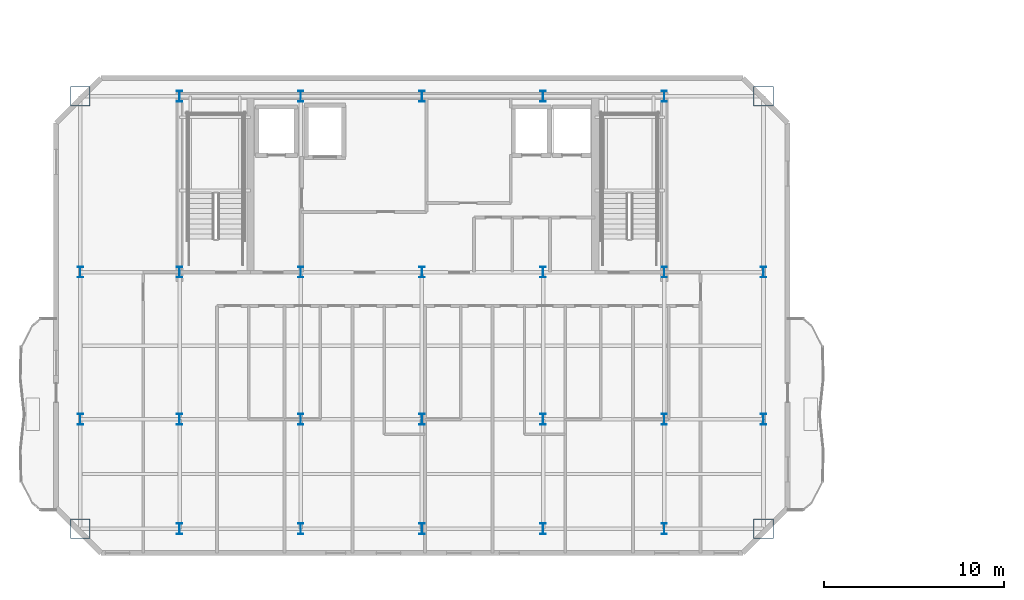
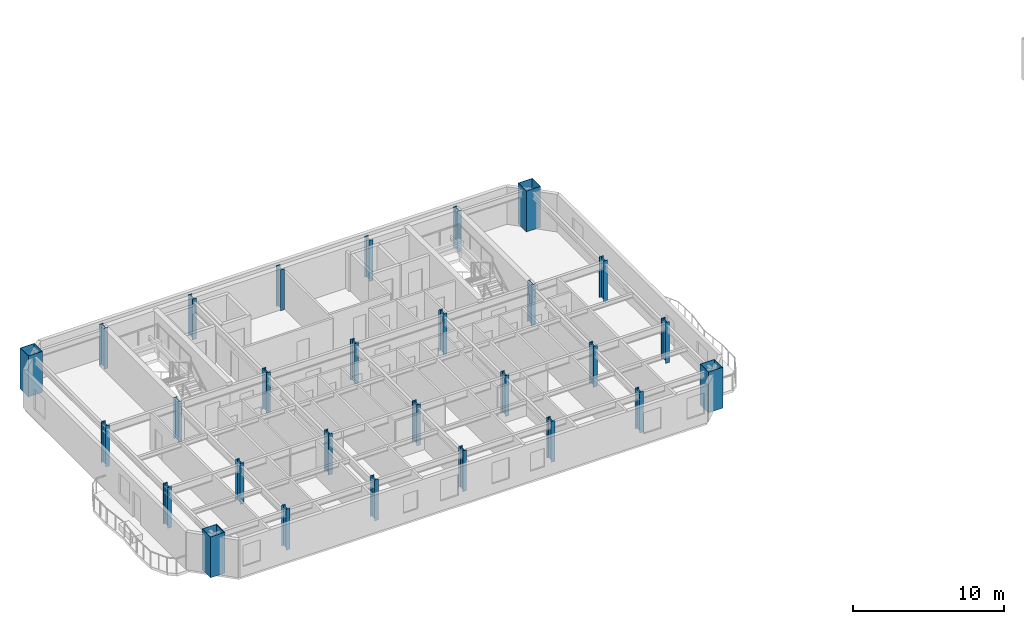
# One storey, part 1 of 14: 28 columns.
"""IFC4 building model written with IfcOpenShell, lengths in metres."""

from ifc_helpers import new_model, si_unit, direction, frame, origin, origin_2d, place, context, subcontext, project, spatial, hollow_rectangle, i_section, extrude, material, material_profile, profile_set, type_object, element, save


model = new_model("IFC4")

# Units and contexts
model_context = context("Model", 3, precision=1e-05, world=origin(), true_north=direction((0.0, 1.0)))
body_context = subcontext(model_context, "Body", "Model", "MODEL_VIEW")
ifc_project = project(units=[si_unit("LENGTHUNIT", "METRE"), si_unit("AREAUNIT", "SQUARE_METRE"), si_unit("VOLUMEUNIT", "CUBIC_METRE"), si_unit("PLANEANGLEUNIT", "RADIAN"), si_unit("MASSUNIT", "GRAM", prefix="KILO")], contexts=[model_context])

# Site, building, storey
site_placement = place(None, origin())
site = spatial("IfcSite", under=ifc_project, at=site_placement, CompositionType="ELEMENT")
building_placement = place(site_placement, origin())
building = spatial("IfcBuilding", under=site, at=building_placement, Name="Haevon Station Towers", CompositionType="ELEMENT")
storey_placement = place(building_placement, frame((0.0, 0.0, 212.10009765625)))
storey = spatial("IfcBuildingStorey", under=building, at=storey_placement, Name="L58", CompositionType="ELEMENT", Elevation=212.10009765625)

# Columns
ifc_material_1 = material(Name="Steel S460", Category="steel")
ifc_material_profile_1 = material_profile(ifc_material_1, hollow_rectangle(XDim=1.10009765625, YDim=1.10009765625, WallThickness=0.031982421875, at=origin_2d()), Name="BOX-1100x1100x32")
ifc_profile_set_1 = profile_set([ifc_material_profile_1], Name="Steel S460")
column_type_1 = type_object("IfcColumnType", Name="COL-MC5", PredefinedType="COLUMN", material=ifc_profile_set_1)
for number, where, z_axis, x_axis, name in (
    (1, (18.47509765625, 23.89990234375, 0.0), (0.0, 0.0, 1.0), (1.0, 0.0, 0.0), "COL-T1-L58-01-01"),
    (2, (18.47509765625, 48.0, 0.0), (0.0, 0.0, 1.0), (1.0, 0.0, 0.0), "COL-T1-L58-01-04"),
    (3, (56.52490234375, 23.89990234375, 0.0), (0.0, 0.0, 1.0), (1.0, 0.0, 0.0), "COL-T1-L58-07-01"),
    (4, (56.52490234375, 48.0, 0.0), (0.0, 0.0, 1.0), (1.0, 0.0, 0.0), "COL-T1-L58-07-04"),
):
    element("IfcColumn", number, at=place(storey_placement, frame(where, z_axis=z_axis, x_axis=x_axis)), inside=storey, type_object=column_type_1, Name=name, PredefinedType="COLUMN", context=body_context, shape_type="SweptSolid", body=[
        extrude(hollow_rectangle(XDim=1.10009765625, YDim=1.10009765625, WallThickness=0.031982421875, at=origin_2d()), origin(), (0.0, 0.0, 1.0), 3.2998046875),
    ])
ifc_material_2 = material(Name="Steel S355", Category="steel")
ifc_material_profile_2 = material_profile(ifc_material_2, i_section(OverallWidth=0.300048828125, OverallDepth=0.60009765625, WebThickness=0.013916015625, FlangeThickness=0.02490234375, at=origin_2d()), Name="H-600x300x14x25")
ifc_profile_set_2 = profile_set([ifc_material_profile_2], Name="Steel S355")
column_type_2 = type_object("IfcColumnType", Name="COL-TW4", PredefinedType="COLUMN", material=ifc_profile_set_2)
for number, where, z_axis, x_axis, name in (
    (5, (18.47509765625, 30.0, 0.0), (0.0, 0.0, 1.0), (1.0, 0.0, 0.0), "COL-T1-L58-01-02"),
    (6, (18.47509765625, 38.199951171875, 0.0), (0.0, 0.0, 1.0), (1.0, 0.0, 0.0), "COL-T1-L58-01-03"),
    (7, (24.0, 23.89990234375, 0.0), (0.0, 0.0, 1.0), (1.0, 0.0, 0.0), "COL-T1-L58-02-01"),
    (8, (24.0, 30.0, 0.0), (0.0, 0.0, 1.0), (1.0, 0.0, 0.0), "COL-T1-L58-02-02"),
    (9, (24.0, 38.199951171875, 0.0), (0.0, 0.0, 1.0), (1.0, 0.0, 0.0), "COL-T1-L58-02-03"),
    (10, (24.0, 48.0, 0.0), (0.0, 0.0, 1.0), (1.0, 0.0, 0.0), "COL-T1-L58-02-04"),
    (11, (30.75, 23.89990234375, 0.0), (0.0, 0.0, 1.0), (1.0, 0.0, 0.0), "COL-T1-L58-03-01"),
    (12, (30.75, 30.0, 0.0), (0.0, 0.0, 1.0), (1.0, 0.0, 0.0), "COL-T1-L58-03-02"),
    (13, (30.75, 38.199951171875, 0.0), (0.0, 0.0, 1.0), (1.0, 0.0, 0.0), "COL-T1-L58-03-03"),
    (14, (30.75, 48.0, 0.0), (0.0, 0.0, 1.0), (1.0, 0.0, 0.0), "COL-T1-L58-03-04"),
    (15, (37.5, 23.89990234375, 0.0), (0.0, 0.0, 1.0), (1.0, 0.0, 0.0), "COL-T1-L58-04-01"),
    (16, (37.5, 30.0, 0.0), (0.0, 0.0, 1.0), (1.0, 0.0, 0.0), "COL-T1-L58-04-02"),
    (17, (37.5, 38.199951171875, 0.0), (0.0, 0.0, 1.0), (1.0, 0.0, 0.0), "COL-T1-L58-04-03"),
    (18, (37.5, 48.0, 0.0), (0.0, 0.0, 1.0), (1.0, 0.0, 0.0), "COL-T1-L58-04-04"),
    (19, (44.25, 23.89990234375, 0.0), (0.0, 0.0, 1.0), (1.0, 0.0, 0.0), "COL-T1-L58-05-01"),
    (20, (44.25, 30.0, 0.0), (0.0, 0.0, 1.0), (1.0, 0.0, 0.0), "COL-T1-L58-05-02"),
    (21, (44.25, 38.199951171875, 0.0), (0.0, 0.0, 1.0), (1.0, 0.0, 0.0), "COL-T1-L58-05-03"),
    (22, (44.25, 48.0, 0.0), (0.0, 0.0, 1.0), (1.0, 0.0, 0.0), "COL-T1-L58-05-04"),
    (23, (51.0, 23.89990234375, 0.0), (0.0, 0.0, 1.0), (1.0, 0.0, 0.0), "COL-T1-L58-06-01"),
    (24, (51.0, 30.0, 0.0), (0.0, 0.0, 1.0), (1.0, 0.0, 0.0), "COL-T1-L58-06-02"),
    (25, (51.0, 38.199951171875, 0.0), (0.0, 0.0, 1.0), (1.0, 0.0, 0.0), "COL-T1-L58-06-03"),
    (26, (51.0, 48.0, 0.0), (0.0, 0.0, 1.0), (1.0, 0.0, 0.0), "COL-T1-L58-06-04"),
    (27, (56.52490234375, 30.0, 0.0), (0.0, 0.0, 1.0), (1.0, 0.0, 0.0), "COL-T1-L58-07-02"),
    (28, (56.52490234375, 38.199951171875, 0.0), (0.0, 0.0, 1.0), (1.0, 0.0, 0.0), "COL-T1-L58-07-03"),
):
    element("IfcColumn", number, at=place(storey_placement, frame(where, z_axis=z_axis, x_axis=x_axis)), inside=storey, type_object=column_type_2, Name=name, PredefinedType="COLUMN", context=body_context, shape_type="SweptSolid", body=[
        extrude(i_section(OverallWidth=0.300048828125, OverallDepth=0.60009765625, WebThickness=0.013916015625, FlangeThickness=0.02490234375, at=origin_2d()), origin(), (0.0, 0.0, 1.0), 3.2998046875),
    ])

save(model, "model.ifc")
